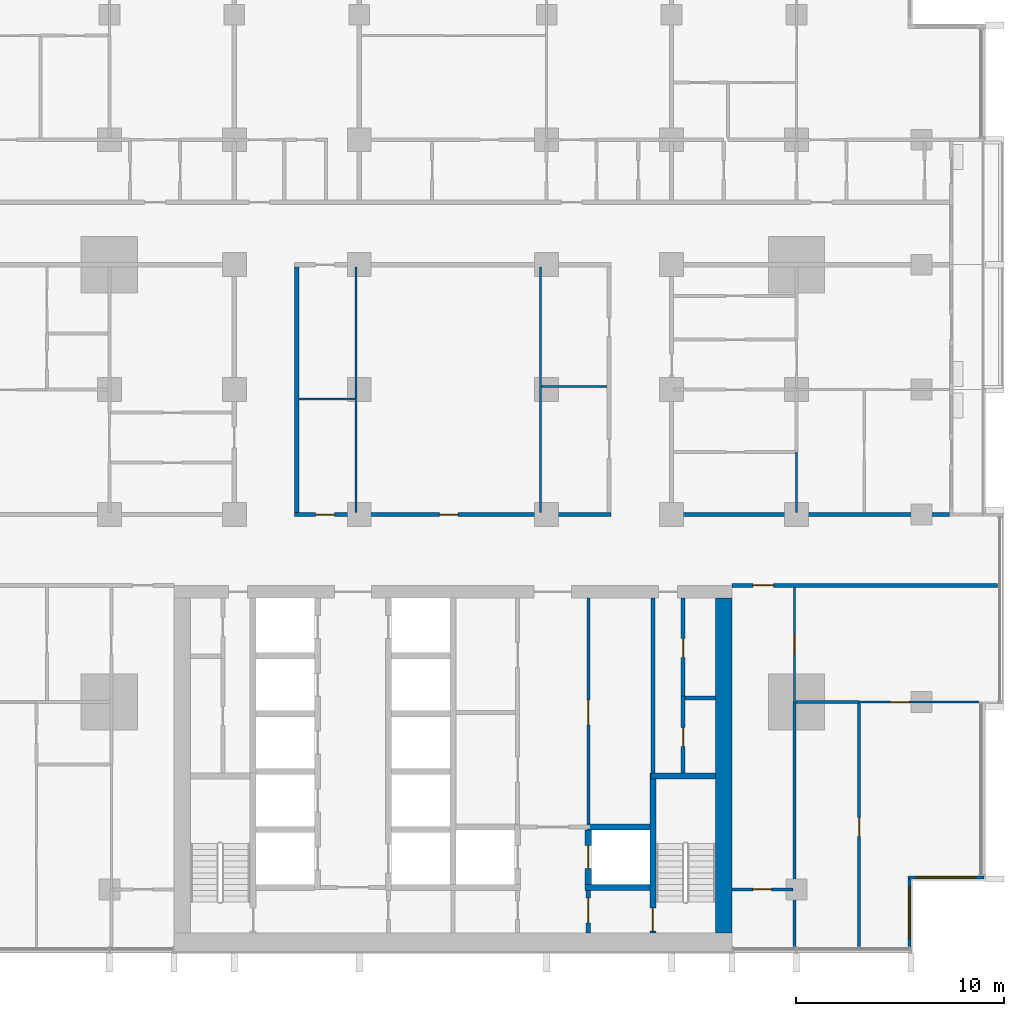
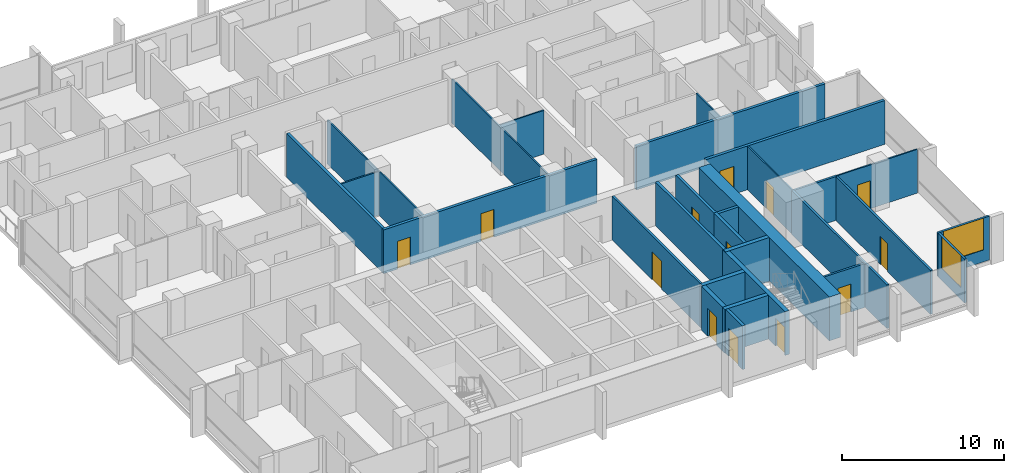
# One storey, part 9 of 18: 29 walls, 13 doors, 2 windows, 15 openings.
"""IFC4 building model written with IfcOpenShell, lengths in metres."""

from ifc_helpers import new_model, si_unit, direction, frame, frame_2d, origin, place, context, subcontext, project, spatial, rectangle, extrude, material, layer, layer_set, type_object, element, fill, save


model = new_model("IFC4")

# Units and contexts
model_context = context("Model", 3, precision=1e-05, world=origin(), true_north=direction((0.0, 1.0)))
body_context = subcontext(model_context, "Body", "Model", "MODEL_VIEW")
ifc_project = project(units=[si_unit("LENGTHUNIT", "METRE"), si_unit("AREAUNIT", "SQUARE_METRE"), si_unit("VOLUMEUNIT", "CUBIC_METRE"), si_unit("PLANEANGLEUNIT", "RADIAN"), si_unit("MASSUNIT", "GRAM", prefix="KILO")], contexts=[model_context])

# Site, building, storey
site_placement = place(None, origin())
site = spatial("IfcSite", under=ifc_project, at=site_placement, CompositionType="ELEMENT")
building_placement = place(site_placement, origin())
building = spatial("IfcBuilding", under=site, at=building_placement, Name="Finial Court Residences", CompositionType="ELEMENT")
storey_placement = place(building_placement, frame((0.0, 0.0, 109.89990234375)))
storey = spatial("IfcBuildingStorey", under=building, at=storey_placement, Name="L27", CompositionType="ELEMENT", Elevation=109.89990234375)

# Wall
ifc_material_1 = material(Name="Concrete C70/85", Category="concrete")
ifc_layer_1 = layer(ifc_material_1, 0.800048828125)
ifc_layer_set_1 = layer_set([ifc_layer_1], Name="Core outer wall 800 Concrete C70/85")
wall_type_1 = type_object("IfcWallType", Name="Core outer wall 800 Concrete C70/85", PredefinedType="SHEAR", material=ifc_layer_set_1)
wall_1_placement = place(storey_placement, frame((13.0, -24.60009765625, 0.0), z_axis=(0.0, 0.0, 1.0), x_axis=(0.0, 1.0, 0.0)))
element("IfcWall", 1, at=wall_1_placement, inside=storey, type_object=wall_type_1, Name="Core outer wall L27-04", PredefinedType="SHEAR", context=body_context, shape_type="SweptSolid", body=[
    extrude(rectangle(XDim=16.10009765625, YDim=0.800048828125, at=frame_2d((8.050048828125, 0.0))), origin(), (0.0, 0.0, 1.0), 3.300048828125),
])

# Wall, opening, door
ifc_material_2 = material(Name="Fire-rated gypsum board partition")
ifc_layer_2 = layer(ifc_material_2, 0.14990234375)
ifc_layer_set_2 = layer_set([ifc_layer_2], Name="Core room partition 150 EI 60")
wall_type_2 = type_object("IfcWallType", Name="Core room partition 150 EI 60", PredefinedType="PARTITIONING", material=ifc_layer_set_2)
wall_2_placement = place(storey_placement, frame((6.5, -8.5, 0.0), z_axis=(0.0, 0.0, 1.0), x_axis=(0.0, -1.0, 0.0)))
wall_2 = element("IfcWall", 2, at=wall_2_placement, inside=storey, type_object=wall_type_2, Name="Core partition L27-35", PredefinedType="PARTITIONING", context=body_context, shape_type="SweptSolid", body=[
    extrude(rectangle(XDim=10.85009765625, YDim=0.14990234375, at=frame_2d((5.425048828125, 0.0))), origin(), (0.0, 0.0, 1.0), 3.300048828125),
])
opening_1_placement = place(wall_2_placement, frame((4.89990234375, 0.0, 0.0)))
opening_1 = element("IfcOpeningElement", 3, at=opening_1_placement, cuts=wall_2, Name="Opening L27-C16", PredefinedType="OPENING", context=body_context, shape_type="SweptSolid", body=[
    extrude(rectangle(XDim=1.199951171875, YDim=2.10009765625, at=frame_2d((0.60009765625, 1.050048828125))), frame((0.0, 0.0849609375, 0.0), z_axis=(0.0, -1.0, 0.0), x_axis=(1.0, 0.0, 0.0)), (0.0, 0.0, 1.0), 0.169921875),
])
ifc_material_3 = material(Name="Steel fire door", Category="steel")
door_type_1 = type_object("IfcDoorType", Name="Core room door 1200 x 2100 EI 60", OperationType="NOTDEFINED", PredefinedType="DOOR", material=ifc_material_3)
door_1_placement = place(opening_1_placement, origin())
door_1 = element("IfcDoor", 4, at=door_1_placement, inside=storey, type_object=door_type_1, Name="Core room door L27-C16", OperationType="SINGLE_SWING_RIGHT", OverallHeight=2.10009765625, OverallWidth=1.199951171875, PredefinedType="DOOR", context=body_context, shape_type="SweptSolid", body=[
    extrude(rectangle(XDim=1.199951171875, YDim=2.10009765625, at=frame_2d((0.60009765625, 1.050048828125))), frame((0.0, 0.02490234375, 0.0), z_axis=(0.0, -1.0, 0.0), x_axis=(1.0, 0.0, 0.0)), (0.0, 0.0, 1.0), 0.050048828125),
])
fill(opening_1, door_1)

ifc_material_4 = material(Name="Gypsum board")
ifc_layer_3 = layer(ifc_material_4, 0.02490234375)
ifc_material_5 = material(Name="Acoustic mineral wool in double frame")
ifc_layer_4 = layer(ifc_material_5, 0.14990234375)
ifc_layer_5 = layer(ifc_material_4, 0.02490234375)
ifc_layer_set_3 = layer_set([ifc_layer_3, ifc_layer_4, ifc_layer_5], Name="Corridor wall 200, 1 hour")
wall_type_3 = type_object("IfcWallType", Name="Corridor wall 200, 1 hour", PredefinedType="PARTITIONING", material=ifc_layer_set_3)
wall_3_placement = place(storey_placement, frame((13.39990234375, -7.89990234375, 0.0), z_axis=(0.0, 0.0, 1.0), x_axis=(1.0, 0.0, 0.0)))
wall_3 = element("IfcWall", 5, at=wall_3_placement, inside=storey, type_object=wall_type_3, Name="Partition L27-008", PredefinedType="PARTITIONING", context=body_context, shape_type="SweptSolid", body=[
    extrude(rectangle(XDim=12.75, YDim=0.199951171875, at=frame_2d((6.375, 0.0))), origin(), (0.0, 0.0, 1.0), 3.300048828125),
])
opening_2_placement = place(wall_3_placement, frame((1.0, 0.0, 0.0)))
opening_2 = element("IfcOpeningElement", 6, at=opening_2_placement, cuts=wall_3, Name="Opening L27-D006", PredefinedType="OPENING", context=body_context, shape_type="SweptSolid", body=[
    extrude(rectangle(XDim=1.0, YDim=2.10009765625, at=frame_2d((0.5, 1.050048828125))), frame((0.0, 0.10986328125, 0.0), z_axis=(0.0, -1.0, 0.0), x_axis=(1.0, 0.0, 0.0)), (0.0, 0.0, 1.0), 0.219970703125),
])
ifc_material_6 = material(Name="Timber door leaf in hollow metal frame", Category="wood")
door_type_2 = type_object("IfcDoorType", Name="Fire door set 1000 x 2100, 30 minutes", OperationType="SINGLE_SWING_LEFT", PredefinedType="DOOR", material=ifc_material_6)
door_2_placement = place(opening_2_placement, origin())
door_2 = element("IfcDoor", 7, at=door_2_placement, inside=storey, type_object=door_type_2, Name="Door L27-D006", OperationType="SINGLE_SWING_LEFT", OverallHeight=2.10009765625, OverallWidth=1.0, PredefinedType="DOOR", context=body_context, shape_type="SweptSolid", body=[
    extrude(rectangle(XDim=1.0, YDim=2.10009765625, at=frame_2d((0.5, 1.050048828125))), frame((0.0, 0.02490234375, 0.0), z_axis=(0.0, -1.0, 0.0), x_axis=(1.0, 0.0, 0.0)), (0.0, 0.0, 1.0), 0.050048828125),
])
fill(opening_2, door_2)

# Wall, openings, doors
wall_4_placement = place(storey_placement, frame((-7.60009765625, -4.5, 0.0), z_axis=(0.0, 0.0, 1.0), x_axis=(1.0, 0.0, 0.0)))
wall_4 = element("IfcWall", 8, at=wall_4_placement, inside=storey, type_object=wall_type_3, Name="Partition L27-010", PredefinedType="PARTITIONING", context=body_context, shape_type="SweptSolid", body=[
    extrude(rectangle(XDim=15.2001953125, YDim=0.199951171875, at=frame_2d((7.60009765625, 0.0))), origin(), (0.0, 0.0, 1.0), 3.300048828125),
])
opening_3_placement = place(wall_4_placement, frame((1.0, 0.0, 0.0)))
opening_3 = element("IfcOpeningElement", 9, at=opening_3_placement, cuts=wall_4, Name="Opening L27-D007", PredefinedType="OPENING", context=body_context, shape_type="SweptSolid", body=[
    extrude(rectangle(XDim=0.89990234375, YDim=2.10009765625, at=frame_2d((0.449951171875, 1.050048828125))), frame((0.0, 0.10986328125, 0.0), z_axis=(0.0, -1.0, 0.0), x_axis=(1.0, 0.0, 0.0)), (0.0, 0.0, 1.0), 0.219970703125),
])
opening_4_placement = place(wall_4_placement, frame((6.949951171875, 0.0, 0.0)))
opening_4 = element("IfcOpeningElement", 10, at=opening_4_placement, cuts=wall_4, Name="Opening L27-D008", PredefinedType="OPENING", context=body_context, shape_type="SweptSolid", body=[
    extrude(rectangle(XDim=0.89990234375, YDim=2.10009765625, at=frame_2d((0.449951171875, 1.050048828125))), frame((0.0, 0.10986328125, 0.0), z_axis=(0.0, -1.0, 0.0), x_axis=(1.0, 0.0, 0.0)), (0.0, 0.0, 1.0), 0.219970703125),
])
door_type_3 = type_object("IfcDoorType", Name="Fire door set 900 x 2100, 30 minutes", OperationType="SINGLE_SWING_LEFT", PredefinedType="DOOR", material=ifc_material_6)
door_3_placement = place(opening_3_placement, origin())
door_3 = element("IfcDoor", 11, at=door_3_placement, inside=storey, type_object=door_type_3, Name="Door L27-D007", OperationType="SINGLE_SWING_RIGHT", OverallHeight=2.10009765625, OverallWidth=0.89990234375, PredefinedType="DOOR", context=body_context, shape_type="SweptSolid", body=[
    extrude(rectangle(XDim=0.89990234375, YDim=2.10009765625, at=frame_2d((0.449951171875, 1.050048828125))), frame((0.0, 0.02490234375, 0.0), z_axis=(0.0, -1.0, 0.0), x_axis=(1.0, 0.0, 0.0)), (0.0, 0.0, 1.0), 0.050048828125),
])
fill(opening_3, door_3)
door_4_placement = place(opening_4_placement, origin())
door_4 = element("IfcDoor", 12, at=door_4_placement, inside=storey, type_object=door_type_3, Name="Door L27-D008", OperationType="SINGLE_SWING_RIGHT", OverallHeight=2.10009765625, OverallWidth=0.89990234375, PredefinedType="DOOR", context=body_context, shape_type="SweptSolid", body=[
    extrude(rectangle(XDim=0.89990234375, YDim=2.10009765625, at=frame_2d((0.449951171875, 1.050048828125))), frame((0.0, 0.02490234375, 0.0), z_axis=(0.0, -1.0, 0.0), x_axis=(1.0, 0.0, 0.0)), (0.0, 0.0, 1.0), 0.050048828125),
])
fill(opening_4, door_4)

# Walls
wall_5_placement = place(storey_placement, frame((10.39990234375, -4.5, 0.0), z_axis=(0.0, 0.0, 1.0), x_axis=(1.0, 0.0, 0.0)))
element("IfcWall", 13, at=wall_5_placement, inside=storey, type_object=wall_type_3, Name="Partition L27-011", PredefinedType="PARTITIONING", context=body_context, shape_type="SweptSolid", body=[
    extrude(rectangle(XDim=13.4501953125, YDim=0.199951171875, at=frame_2d((6.72509765625, 0.0))), origin(), (0.0, 0.0, 1.0), 3.300048828125),
])
wall_6_placement = place(storey_placement, frame((-7.5, -4.39990234375, 0.0), z_axis=(0.0, 0.0, 1.0), x_axis=(0.0, 1.0, 0.0)))
element("IfcWall", 14, at=wall_6_placement, inside=storey, type_object=wall_type_3, Name="Partition L27-064", PredefinedType="PARTITIONING", context=body_context, shape_type="SweptSolid", body=[
    extrude(rectangle(XDim=11.7998046875, YDim=0.199951171875, at=frame_2d((5.89990234375, 0.0))), origin(), (0.0, 0.0, 1.0), 3.300048828125),
])

# Wall, opening, door
ifc_layer_6 = layer(ifc_material_2, 0.199951171875)
ifc_layer_set_4 = layer_set([ifc_layer_6], Name="Firefighting lobby wall 200 EI 120")
wall_type_4 = type_object("IfcWallType", Name="Firefighting lobby wall 200 EI 120", PredefinedType="PARTITIONING", material=ifc_layer_set_4)
wall_7_placement = place(storey_placement, frame((6.5, -22.550048828125, 0.0), z_axis=(0.0, 0.0, 1.0), x_axis=(0.0, -1.0, 0.0)))
wall_7 = element("IfcWall", 15, at=wall_7_placement, inside=storey, type_object=wall_type_4, Name="Core partition L27-33", PredefinedType="PARTITIONING", context=body_context, shape_type="SweptSolid", body=[
    extrude(rectangle(XDim=2.050048828125, YDim=0.199951171875, at=frame_2d((1.02490234375, 0.0))), origin(), (0.0, 0.0, 1.0), 3.300048828125),
])
opening_5_placement = place(wall_7_placement, frame((0.35009765625, 0.0, 0.0)))
opening_5 = element("IfcOpeningElement", 16, at=opening_5_placement, cuts=wall_7, Name="Opening L27-C01", PredefinedType="OPENING", context=body_context, shape_type="SweptSolid", body=[
    extrude(rectangle(XDim=1.199951171875, YDim=2.10009765625, at=frame_2d((0.60009765625, 1.050048828125))), frame((0.0, 0.10986328125, 0.0), z_axis=(0.0, -1.0, 0.0), x_axis=(1.0, 0.0, 0.0)), (0.0, 0.0, 1.0), 0.219970703125),
])
door_type_4 = type_object("IfcDoorType", Name="Firefighting lobby door 1200 x 2100 EI 90", OperationType="NOTDEFINED", PredefinedType="DOOR", material=ifc_material_3)
door_5_placement = place(opening_5_placement, origin())
door_5 = element("IfcDoor", 17, at=door_5_placement, inside=storey, type_object=door_type_4, Name="Firefighting lobby door L27-C01", OperationType="SINGLE_SWING_RIGHT", OverallHeight=2.10009765625, OverallWidth=1.199951171875, PredefinedType="DOOR", context=body_context, shape_type="SweptSolid", body=[
    extrude(rectangle(XDim=1.199951171875, YDim=2.10009765625, at=frame_2d((0.60009765625, 1.050048828125))), frame((0.0, 0.02490234375, 0.0), z_axis=(0.0, -1.0, 0.0), x_axis=(1.0, 0.0, 0.0)), (0.0, 0.0, 1.0), 0.050048828125),
])
fill(opening_5, door_5)

ifc_layer_7 = layer(ifc_material_4, 0.012451171875)
ifc_material_7 = material(Name="Mineral wool in light-gauge frame")
ifc_layer_8 = layer(ifc_material_7, 0.074951171875)
ifc_layer_9 = layer(ifc_material_4, 0.012451171875)
ifc_layer_set_5 = layer_set([ifc_layer_7, ifc_layer_8, ifc_layer_9], Name="Gypsum board partition 100")
wall_type_5 = type_object("IfcWallType", Name="Gypsum board partition 100", PredefinedType="PARTITIONING", material=ifc_layer_set_5)
wall_8_placement = place(storey_placement, frame((19.5, -13.5, 0.0), z_axis=(0.0, 0.0, 1.0), x_axis=(1.0, 0.0, 0.0)))
wall_8 = element("IfcWall", 18, at=wall_8_placement, inside=storey, type_object=wall_type_5, Name="Partition L27-004", PredefinedType="PARTITIONING", context=body_context, shape_type="SweptSolid", body=[
    extrude(rectangle(XDim=5.75, YDim=0.10009765625, at=frame_2d((2.875, 0.0))), origin(), (0.0, 0.0, 1.0), 3.300048828125),
])
opening_6_placement = place(wall_8_placement, frame((1.5, 0.0, 0.0)))
opening_6 = element("IfcOpeningElement", 19, at=opening_6_placement, cuts=wall_8, Name="Opening L27-D004", PredefinedType="OPENING", context=body_context, shape_type="SweptSolid", body=[
    extrude(rectangle(XDim=0.89990234375, YDim=2.10009765625, at=frame_2d((0.449951171875, 1.050048828125))), frame((0.0, 0.06005859375, 0.0), z_axis=(0.0, -1.0, 0.0), x_axis=(1.0, 0.0, 0.0)), (0.0, 0.0, 1.0), 0.1201171875),
])
ifc_material_8 = material(Name="Timber door leaf in timber frame", Category="wood")
door_type_5 = type_object("IfcDoorType", Name="Door set 900 x 2100", OperationType="SINGLE_SWING_LEFT", PredefinedType="DOOR", material=ifc_material_8)
door_6_placement = place(opening_6_placement, origin())
door_6 = element("IfcDoor", 20, at=door_6_placement, inside=storey, type_object=door_type_5, Name="Door L27-D004", OperationType="SINGLE_SWING_LEFT", OverallHeight=2.10009765625, OverallWidth=0.89990234375, PredefinedType="DOOR", context=body_context, shape_type="SweptSolid", body=[
    extrude(rectangle(XDim=0.89990234375, YDim=2.10009765625, at=frame_2d((0.449951171875, 1.050048828125))), frame((0.0, 0.02490234375, 0.0), z_axis=(0.0, -1.0, 0.0), x_axis=(1.0, 0.0, 0.0)), (0.0, 0.0, 1.0), 0.050048828125),
])
fill(opening_6, door_6)

# Walls
wall_9_placement = place(storey_placement, frame((-7.39990234375, 1.050048828125, 0.0), z_axis=(0.0, 0.0, 1.0), x_axis=(1.0, 0.0, 0.0)))
element("IfcWall", 21, at=wall_9_placement, inside=storey, type_object=wall_type_5, Name="Partition L27-015", PredefinedType="PARTITIONING", context=body_context, shape_type="SweptSolid", body=[
    extrude(rectangle(XDim=2.699951171875, YDim=0.10009765625, at=frame_2d((1.35009765625, 0.0))), origin(), (0.0, 0.0, 1.0), 3.300048828125),
])
wall_10_placement = place(storey_placement, frame((4.25, 1.64990234375, 0.0), z_axis=(0.0, 0.0, 1.0), x_axis=(1.0, 0.0, 0.0)))
element("IfcWall", 22, at=wall_10_placement, inside=storey, type_object=wall_type_5, Name="Partition L27-020", PredefinedType="PARTITIONING", context=body_context, shape_type="SweptSolid", body=[
    extrude(rectangle(XDim=3.14990234375, YDim=0.10009765625, at=frame_2d((1.574951171875, 0.0))), origin(), (0.0, 0.0, 1.0), 3.300048828125),
])
for number, where, z_axis, x_axis, name in (
    (23, (-4.64990234375, -4.39990234375, 0.0), (0.0, 0.0, 1.0), (0.0, 1.0, 0.0), "Partition L27-066"),
    (24, (4.199951171875, -4.39990234375, 0.0), (0.0, 0.0, 1.0), (0.0, 1.0, 0.0), "Partition L27-069"),
):
    element("IfcWall", number, at=place(storey_placement, frame(where, z_axis=z_axis, x_axis=x_axis)), inside=storey, type_object=wall_type_5, Name=name, PredefinedType="PARTITIONING", context=body_context, shape_type="SweptSolid", body=[
        extrude(rectangle(XDim=11.7998046875, YDim=0.10009765625, at=frame_2d((5.89990234375, 0.0))), origin(), (0.0, 0.0, 1.0), 3.300048828125),
    ])

# Wall, opening, door
wall_11_placement = place(storey_placement, frame((16.39990234375, -13.5, 0.0), z_axis=(0.0, 0.0, 1.0), x_axis=(0.0, 1.0, 0.0)))
wall_11 = element("IfcWall", 25, at=wall_11_placement, inside=storey, type_object=wall_type_5, Name="Partition L27-080", PredefinedType="PARTITIONING", context=body_context, shape_type="SweptSolid", body=[
    extrude(rectangle(XDim=5.5, YDim=0.10009765625, at=frame_2d((2.75, 0.0))), origin(), (0.0, 0.0, 1.0), 3.300048828125),
])
opening_7_placement = place(wall_11_placement, frame((2.300048828125, 0.0, 0.0)))
opening_7 = element("IfcOpeningElement", 26, at=opening_7_placement, cuts=wall_11, Name="Opening L27-D052", PredefinedType="OPENING", context=body_context, shape_type="SweptSolid", body=[
    extrude(rectangle(XDim=0.89990234375, YDim=2.10009765625, at=frame_2d((0.449951171875, 1.050048828125))), frame((0.0, 0.06005859375, 0.0), z_axis=(0.0, -1.0, 0.0), x_axis=(1.0, 0.0, 0.0)), (0.0, 0.0, 1.0), 0.1201171875),
])
door_7_placement = place(opening_7_placement, origin())
door_7 = element("IfcDoor", 27, at=door_7_placement, inside=storey, type_object=door_type_5, Name="Door L27-D052", OperationType="SINGLE_SWING_RIGHT", OverallHeight=2.10009765625, OverallWidth=0.89990234375, PredefinedType="DOOR", context=body_context, shape_type="SweptSolid", body=[
    extrude(rectangle(XDim=0.89990234375, YDim=2.10009765625, at=frame_2d((0.449951171875, 1.050048828125))), frame((0.0, 0.02490234375, 0.0), z_axis=(0.0, -1.0, 0.0), x_axis=(1.0, 0.0, 0.0)), (0.0, 0.0, 1.0), 0.050048828125),
])
fill(opening_7, door_7)

# Wall
wall_12_placement = place(storey_placement, frame((16.5, -4.39990234375, 0.0), z_axis=(0.0, 0.0, 1.0), x_axis=(0.0, 1.0, 0.0)))
element("IfcWall", 28, at=wall_12_placement, inside=storey, type_object=wall_type_5, Name="Partition L27-082", PredefinedType="PARTITIONING", context=body_context, shape_type="SweptSolid", body=[
    extrude(rectangle(XDim=2.89990234375, YDim=0.10009765625, at=frame_2d((1.449951171875, 0.0))), origin(), (0.0, 0.0, 1.0), 3.300048828125),
])

# Wall, opening, door
ifc_material_9 = material(Name="Moisture-resistant gypsum board")
ifc_layer_10 = layer(ifc_material_9, 0.012451171875)
ifc_layer_11 = layer(ifc_material_7, 0.125)
ifc_layer_12 = layer(ifc_material_9, 0.012451171875)
ifc_layer_set_6 = layer_set([ifc_layer_10, ifc_layer_11, ifc_layer_12], Name="Gypsum board wet-area partition 150")
wall_type_6 = type_object("IfcWallType", Name="Gypsum board wet-area partition 150", PredefinedType="PARTITIONING", material=ifc_layer_set_6)
wall_13_placement = place(storey_placement, frame((13.39990234375, -22.5, 0.0), z_axis=(0.0, 0.0, 1.0), x_axis=(1.0, 0.0, 0.0)))
wall_13 = element("IfcWall", 29, at=wall_13_placement, inside=storey, type_object=wall_type_6, Name="Partition L27-001", PredefinedType="PARTITIONING", context=body_context, shape_type="SweptSolid", body=[
    extrude(rectangle(XDim=2.925048828125, YDim=0.14990234375, at=frame_2d((1.46240234375, 0.0))), origin(), (0.0, 0.0, 1.0), 3.300048828125),
])
opening_8_placement = place(wall_13_placement, frame((1.0, 0.0, 0.0)))
opening_8 = element("IfcOpeningElement", 30, at=opening_8_placement, cuts=wall_13, Name="Opening L27-D002", PredefinedType="OPENING", context=body_context, shape_type="SweptSolid", body=[
    extrude(rectangle(XDim=0.89990234375, YDim=2.10009765625, at=frame_2d((0.449951171875, 1.050048828125))), frame((0.0, 0.0849609375, 0.0), z_axis=(0.0, -1.0, 0.0), x_axis=(1.0, 0.0, 0.0)), (0.0, 0.0, 1.0), 0.169921875),
])
door_8_placement = place(opening_8_placement, origin())
door_8 = element("IfcDoor", 31, at=door_8_placement, inside=storey, type_object=door_type_5, Name="Door L27-D002", OperationType="SINGLE_SWING_LEFT", OverallHeight=2.10009765625, OverallWidth=0.89990234375, PredefinedType="DOOR", context=body_context, shape_type="SweptSolid", body=[
    extrude(rectangle(XDim=0.89990234375, YDim=2.10009765625, at=frame_2d((0.449951171875, 1.050048828125))), frame((0.0, 0.02490234375, 0.0), z_axis=(0.0, -1.0, 0.0), x_axis=(1.0, 0.0, 0.0)), (0.0, 0.0, 1.0), 0.050048828125),
])
fill(opening_8, door_8)

# Walls
wall_14_placement = place(storey_placement, frame((16.47509765625, -13.5, 0.0), z_axis=(0.0, 0.0, 1.0), x_axis=(1.0, 0.0, 0.0)))
element("IfcWall", 32, at=wall_14_placement, inside=storey, type_object=wall_type_6, Name="Partition L27-006", PredefinedType="PARTITIONING", context=body_context, shape_type="SweptSolid", body=[
    extrude(rectangle(XDim=3.02490234375, YDim=0.14990234375, at=frame_2d((1.512451171875, 0.0))), origin(), (0.0, 0.0, 1.0), 3.300048828125),
])
wall_15_placement = place(storey_placement, frame((16.39990234375, -25.25, 0.0), z_axis=(0.0, 0.0, 1.0), x_axis=(0.0, 1.0, 0.0)))
element("IfcWall", 33, at=wall_15_placement, inside=storey, type_object=wall_type_6, Name="Partition L27-081", PredefinedType="PARTITIONING", context=body_context, shape_type="SweptSolid", body=[
    extrude(rectangle(XDim=11.75, YDim=0.14990234375, at=frame_2d((5.875, 0.0))), origin(), (0.0, 0.0, 1.0), 3.300048828125),
])

# Wall, opening, door
wall_16_placement = place(storey_placement, frame((19.5, -25.25, 0.0), z_axis=(0.0, 0.0, 1.0), x_axis=(0.0, 1.0, 0.0)))
wall_16 = element("IfcWall", 34, at=wall_16_placement, inside=storey, type_object=wall_type_6, Name="Partition L27-089", PredefinedType="PARTITIONING", context=body_context, shape_type="SweptSolid", body=[
    extrude(rectangle(XDim=11.675048828125, YDim=0.14990234375, at=frame_2d((5.83740234375, 0.0))), origin(), (0.0, 0.0, 1.0), 3.300048828125),
])
opening_9_placement = place(wall_16_placement, frame((5.300048828125, 0.0, 0.0)))
opening_9 = element("IfcOpeningElement", 35, at=opening_9_placement, cuts=wall_16, Name="Opening L27-D057", PredefinedType="OPENING", context=body_context, shape_type="SweptSolid", body=[
    extrude(rectangle(XDim=0.89990234375, YDim=2.10009765625, at=frame_2d((0.449951171875, 1.050048828125))), frame((0.0, 0.0849609375, 0.0), z_axis=(0.0, -1.0, 0.0), x_axis=(1.0, 0.0, 0.0)), (0.0, 0.0, 1.0), 0.169921875),
])
door_9_placement = place(opening_9_placement, origin())
door_9 = element("IfcDoor", 36, at=door_9_placement, inside=storey, type_object=door_type_5, Name="Door L27-D057", OperationType="SINGLE_SWING_RIGHT", OverallHeight=2.10009765625, OverallWidth=0.89990234375, PredefinedType="DOOR", context=body_context, shape_type="SweptSolid", body=[
    extrude(rectangle(XDim=0.89990234375, YDim=2.10009765625, at=frame_2d((0.449951171875, 1.050048828125))), frame((0.0, 0.02490234375, 0.0), z_axis=(0.0, -1.0, 0.0), x_axis=(1.0, 0.0, 0.0)), (0.0, 0.0, 1.0), 0.050048828125),
])
fill(opening_9, door_9)

# Walls
ifc_layer_13 = layer(ifc_material_1, 0.300048828125)
ifc_layer_set_7 = layer_set([ifc_layer_13], Name="Lift shaft and stair wall 300 Concrete C70/85")
wall_type_7 = type_object("IfcWallType", Name="Lift shaft and stair wall 300 Concrete C70/85", PredefinedType="SHEAR", material=ifc_layer_set_7)
wall_17_placement = place(storey_placement, frame((6.35009765625, -22.39990234375, 0.0), z_axis=(0.0, 0.0, 1.0), x_axis=(1.0, 0.0, 0.0)))
element("IfcWall", 37, at=wall_17_placement, inside=storey, type_object=wall_type_7, Name="Core wall L27-04", PredefinedType="SHEAR", context=body_context, shape_type="SweptSolid", body=[
    extrude(rectangle(XDim=3.099853515625, YDim=0.300048828125, at=frame_2d((1.5498046875, 0.0))), origin(), (0.0, 0.0, 1.0), 3.300048828125),
])
wall_18_placement = place(storey_placement, frame((6.425048828125, -19.5, 0.0), z_axis=(0.0, 0.0, 1.0), x_axis=(1.0, 0.0, 0.0)))
element("IfcWall", 38, at=wall_18_placement, inside=storey, type_object=wall_type_7, Name="Core wall L27-09", PredefinedType="SHEAR", context=body_context, shape_type="SweptSolid", body=[
    extrude(rectangle(XDim=3.02490234375, YDim=0.300048828125, at=frame_2d((1.512451171875, 0.0))), origin(), (0.0, 0.0, 1.0), 3.300048828125),
])
wall_19_placement = place(storey_placement, frame((9.5, -17.050048828125, 0.0), z_axis=(0.0, 0.0, 1.0), x_axis=(1.0, 0.0, 0.0)))
element("IfcWall", 39, at=wall_19_placement, inside=storey, type_object=wall_type_7, Name="Core wall L27-11", PredefinedType="SHEAR", context=body_context, shape_type="SweptSolid", body=[
    extrude(rectangle(XDim=3.10009765625, YDim=0.300048828125, at=frame_2d((1.550048828125, 0.0))), origin(), (0.0, 0.0, 1.0), 3.300048828125),
])

# Wall, opening, door
wall_20_placement = place(storey_placement, frame((6.5, -22.25, 0.0), z_axis=(0.0, 0.0, 1.0), x_axis=(0.0, 1.0, 0.0)))
wall_20 = element("IfcWall", 40, at=wall_20_placement, inside=storey, type_object=wall_type_7, Name="Core wall L27-34", PredefinedType="SHEAR", context=body_context, shape_type="SweptSolid", body=[
    extrude(rectangle(XDim=2.60009765625, YDim=0.300048828125, at=frame_2d((1.300048828125, 0.0))), origin(), (0.0, 0.0, 1.0), 3.300048828125),
])
opening_10_placement = place(wall_20_placement, frame((0.75, 0.0, 0.0)))
opening_10 = element("IfcOpeningElement", 41, at=opening_10_placement, cuts=wall_20, Name="Opening L27-LD02", PredefinedType="OPENING", context=body_context, shape_type="SweptSolid", body=[
    extrude(rectangle(XDim=1.10009765625, YDim=2.10009765625, at=frame_2d((0.550048828125, 1.050048828125))), frame((0.0, 0.159912109375, 0.0), z_axis=(0.0, -1.0, 0.0), x_axis=(1.0, 0.0, 0.0)), (0.0, 0.0, 1.0), 0.320068359375),
])
ifc_material_10 = material(Name="Stainless steel lift door", Category="steel")
door_type_6 = type_object("IfcDoorType", Name="Lift landing door 1100 x 2100 EI 90", OperationType="DOUBLE_DOOR_SLIDING", PredefinedType="DOOR", material=ifc_material_10)
door_10_placement = place(opening_10_placement, origin())
door_10 = element("IfcDoor", 42, at=door_10_placement, inside=storey, type_object=door_type_6, Name="Lift landing door FF2 L27", OperationType="DOUBLE_DOOR_SLIDING", OverallHeight=2.10009765625, OverallWidth=1.10009765625, PredefinedType="DOOR", context=body_context, shape_type="SweptSolid", body=[
    extrude(rectangle(XDim=1.10009765625, YDim=2.10009765625, at=frame_2d((0.550048828125, 1.050048828125))), frame((0.0, 0.02490234375, 0.0), z_axis=(0.0, -1.0, 0.0), x_axis=(1.0, 0.0, 0.0)), (0.0, 0.0, 1.0), 0.050048828125),
])
fill(opening_10, door_10)

wall_21_placement = place(storey_placement, frame((9.60009765625, -16.89990234375, 0.0), z_axis=(0.0, 0.0, 1.0), x_axis=(0.0, -1.0, 0.0)))
wall_21 = element("IfcWall", 43, at=wall_21_placement, inside=storey, type_object=wall_type_7, Name="Core wall L27-36", PredefinedType="SHEAR", context=body_context, shape_type="SweptSolid", body=[
    extrude(rectangle(XDim=7.7001953125, YDim=0.300048828125, at=frame_2d((3.85009765625, 0.0))), origin(), (0.0, 0.0, 1.0), 3.300048828125),
])
opening_11_placement = place(wall_21_placement, frame((6.5, 0.0, 0.0)))
opening_11 = element("IfcOpeningElement", 44, at=opening_11_placement, cuts=wall_21, Name="Opening L27-C18", PredefinedType="OPENING", context=body_context, shape_type="SweptSolid", body=[
    extrude(rectangle(XDim=1.10009765625, YDim=2.10009765625, at=frame_2d((0.550048828125, 1.050048828125))), frame((0.0, 0.159912109375, 0.0), z_axis=(0.0, -1.0, 0.0), x_axis=(1.0, 0.0, 0.0)), (0.0, 0.0, 1.0), 0.320068359375),
])
door_type_7 = type_object("IfcDoorType", Name="Stair door 1100 x 2100 EI 90", OperationType="NOTDEFINED", PredefinedType="DOOR", material=ifc_material_3)
door_11_placement = place(opening_11_placement, origin())
door_11 = element("IfcDoor", 45, at=door_11_placement, inside=storey, type_object=door_type_7, Name="Stair door L27-C18", OperationType="SINGLE_SWING_RIGHT", OverallHeight=2.10009765625, OverallWidth=1.10009765625, PredefinedType="DOOR", context=body_context, shape_type="SweptSolid", body=[
    extrude(rectangle(XDim=1.10009765625, YDim=2.10009765625, at=frame_2d((0.550048828125, 1.050048828125))), frame((0.0, 0.02490234375, 0.0), z_axis=(0.0, -1.0, 0.0), x_axis=(1.0, 0.0, 0.0)), (0.0, 0.0, 1.0), 0.050048828125),
])
fill(opening_11, door_11)

# Wall, opening, window
ifc_material_11 = material(Name="Natural limestone", Category="masonry")
ifc_layer_14 = layer(ifc_material_11, 0.14990234375)
ifc_layer_set_8 = layer_set([ifc_layer_14], Name="Limestone clad wall 150")
wall_type_8 = type_object("IfcWallType", Name="Limestone clad wall 150", PredefinedType="SOLIDWALL", material=ifc_layer_set_8)
wall_22_placement = place(storey_placement, frame((21.925048828125, -22.0, 0.0), z_axis=(0.0, 0.0, 1.0), x_axis=(0.0, -1.0, 0.0)))
wall_22 = element("IfcWall", 46, at=wall_22_placement, inside=storey, type_object=wall_type_8, Name="E-L27-NWE14", PredefinedType="SOLIDWALL", context=body_context, shape_type="SweptSolid", body=[
    extrude(rectangle(XDim=3.25, YDim=0.14990234375, at=frame_2d((1.625, 0.0))), origin(), (0.0, 0.0, 1.0), 3.300048828125),
])
opening_12_placement = place(wall_22_placement, frame((0.39990234375, 0.0, 0.89990234375)))
opening_12 = element("IfcOpeningElement", 47, at=opening_12_placement, cuts=wall_22, Name="Opening WE27-03", PredefinedType="OPENING", context=body_context, shape_type="SweptSolid", body=[
    extrude(rectangle(XDim=2.449951171875, YDim=2.39990234375, at=frame_2d((1.22509765625, 1.199951171875))), frame((0.0, 0.0849609375, 0.0), z_axis=(0.0, -1.0, 0.0), x_axis=(1.0, 0.0, 0.0)), (0.0, 0.0, 1.0), 0.169921875),
])
ifc_material_12 = material(Name="Clear low-e glass", Category="glass")
window_type_1 = type_object("IfcWindowType", Name="Corner window 2450 x 2400", PartitioningType="SINGLE_PANEL", PredefinedType="WINDOW", material=ifc_material_12)
window_1_placement = place(opening_12_placement, origin())
window_1 = element("IfcWindow", 48, at=window_1_placement, inside=storey, type_object=window_type_1, Name="E-L27-NWE14-W1", OverallHeight=2.39990234375, OverallWidth=2.449951171875, PartitioningType="SINGLE_PANEL", PredefinedType="WINDOW", context=body_context, shape_type="SweptSolid", body=[
    extrude(rectangle(XDim=2.449951171875, YDim=2.39990234375, at=frame_2d((1.22509765625, 1.199951171875))), frame((0.0, 0.030029296875, 0.0), z_axis=(0.0, -1.0, 0.0), x_axis=(1.0, 0.0, 0.0)), (0.0, 0.0, 1.0), 0.06005859375),
])
fill(opening_12, window_1)

wall_23_placement = place(storey_placement, frame((25.5, -21.925048828125, 0.0), z_axis=(0.0, 0.0, 1.0), x_axis=(-1.0, 0.0, 0.0)))
wall_23 = element("IfcWall", 49, at=wall_23_placement, inside=storey, type_object=wall_type_8, Name="E-L27-NWS15", PredefinedType="SOLIDWALL", context=body_context, shape_type="SweptSolid", body=[
    extrude(rectangle(XDim=3.64990234375, YDim=0.14990234375, at=frame_2d((1.824951171875, 0.0))), origin(), (0.0, 0.0, 1.0), 3.300048828125),
])
opening_13_placement = place(wall_23_placement, frame((0.39990234375, 0.0, 0.89990234375)))
opening_13 = element("IfcOpeningElement", 50, at=opening_13_placement, cuts=wall_23, Name="Opening WE27-04", PredefinedType="OPENING", context=body_context, shape_type="SweptSolid", body=[
    extrude(rectangle(XDim=2.85009765625, YDim=2.39990234375, at=frame_2d((1.425048828125, 1.199951171875))), frame((0.0, 0.0849609375, 0.0), z_axis=(0.0, -1.0, 0.0), x_axis=(1.0, 0.0, 0.0)), (0.0, 0.0, 1.0), 0.169921875),
])
window_type_2 = type_object("IfcWindowType", Name="Corner window 2850 x 2400", PartitioningType="SINGLE_PANEL", PredefinedType="WINDOW", material=ifc_material_12)
window_2_placement = place(opening_13_placement, origin())
window_2 = element("IfcWindow", 51, at=window_2_placement, inside=storey, type_object=window_type_2, Name="E-L27-NWS15-W1", OverallHeight=2.39990234375, OverallWidth=2.85009765625, PartitioningType="SINGLE_PANEL", PredefinedType="WINDOW", context=body_context, shape_type="SweptSolid", body=[
    extrude(rectangle(XDim=2.85009765625, YDim=2.39990234375, at=frame_2d((1.425048828125, 1.199951171875))), frame((0.0, 0.030029296875, 0.0), z_axis=(0.0, -1.0, 0.0), x_axis=(1.0, 0.0, 0.0)), (0.0, 0.0, 1.0), 0.06005859375),
])
fill(opening_13, window_2)

# Wall
ifc_layer_15 = layer(ifc_material_2, 0.199951171875)
ifc_layer_set_9 = layer_set([ifc_layer_15], Name="Riser room wall 200 EI 120")
wall_type_9 = type_object("IfcWallType", Name="Riser room wall 200 EI 120", PredefinedType="PARTITIONING", material=ifc_layer_set_9)
wall_24_placement = place(storey_placement, frame((11.14990234375, -13.300048828125, 0.0), z_axis=(0.0, 0.0, 1.0), x_axis=(1.0, 0.0, 0.0)))
element("IfcWall", 52, at=wall_24_placement, inside=storey, type_object=wall_type_9, Name="Core partition L27-17", PredefinedType="PARTITIONING", context=body_context, shape_type="SweptSolid", body=[
    extrude(rectangle(XDim=1.4501953125, YDim=0.199951171875, at=frame_2d((0.72509765625, 0.0))), origin(), (0.0, 0.0, 1.0), 3.300048828125),
])

# Wall, opening, door
wall_25_placement = place(storey_placement, frame((11.050048828125, -8.5, 0.0), z_axis=(0.0, 0.0, 1.0), x_axis=(0.0, -1.0, 0.0)))
wall_25 = element("IfcWall", 53, at=wall_25_placement, inside=storey, type_object=wall_type_9, Name="Core partition L27-39", PredefinedType="PARTITIONING", context=body_context, shape_type="SweptSolid", body=[
    extrude(rectangle(XDim=4.89990234375, YDim=0.199951171875, at=frame_2d((2.449951171875, 0.0))), origin(), (0.0, 0.0, 1.0), 3.300048828125),
])
opening_14_placement = place(wall_25_placement, frame((1.949951171875, 0.0, 0.0)))
opening_14 = element("IfcOpeningElement", 54, at=opening_14_placement, cuts=wall_25, Name="Opening L27-C08", PredefinedType="OPENING", context=body_context, shape_type="SweptSolid", body=[
    extrude(rectangle(XDim=0.89990234375, YDim=2.10009765625, at=frame_2d((0.449951171875, 1.050048828125))), frame((0.0, 0.10986328125, 0.0), z_axis=(0.0, -1.0, 0.0), x_axis=(1.0, 0.0, 0.0)), (0.0, 0.0, 1.0), 0.219970703125),
])
door_type_8 = type_object("IfcDoorType", Name="Riser room door 900 x 2100 EI 90", OperationType="NOTDEFINED", PredefinedType="DOOR", material=ifc_material_3)
door_12_placement = place(opening_14_placement, origin())
door_12 = element("IfcDoor", 55, at=door_12_placement, inside=storey, type_object=door_type_8, Name="Riser room door L27-C08", OperationType="SINGLE_SWING_RIGHT", OverallHeight=2.10009765625, OverallWidth=0.89990234375, PredefinedType="DOOR", context=body_context, shape_type="SweptSolid", body=[
    extrude(rectangle(XDim=0.89990234375, YDim=2.10009765625, at=frame_2d((0.449951171875, 1.050048828125))), frame((0.0, 0.02490234375, 0.0), z_axis=(0.0, -1.0, 0.0), x_axis=(1.0, 0.0, 0.0)), (0.0, 0.0, 1.0), 0.050048828125),
])
fill(opening_14, door_12)

# Wall
ifc_layer_16 = layer(ifc_material_2, 0.199951171875)
ifc_layer_set_10 = layer_set([ifc_layer_16], Name="Stair passage wall 200 EI 180")
wall_type_10 = type_object("IfcWallType", Name="Stair passage wall 200 EI 180", PredefinedType="PARTITIONING", material=ifc_layer_set_10)
wall_26_placement = place(storey_placement, frame((9.60009765625, -16.89990234375, 0.0), z_axis=(0.0, 0.0, 1.0), x_axis=(0.0, 1.0, 0.0)))
element("IfcWall", 56, at=wall_26_placement, inside=storey, type_object=wall_type_10, Name="Core partition L27-37", PredefinedType="PARTITIONING", context=body_context, shape_type="SweptSolid", body=[
    extrude(rectangle(XDim=8.39990234375, YDim=0.199951171875, at=frame_2d((4.199951171875, 0.0))), origin(), (0.0, 0.0, 1.0), 3.300048828125),
])

# Wall, opening, door
wall_27_placement = place(storey_placement, frame((11.050048828125, -13.199951171875, 0.0), z_axis=(0.0, 0.0, 1.0), x_axis=(0.0, -1.0, 0.0)))
wall_27 = element("IfcWall", 57, at=wall_27_placement, inside=storey, type_object=wall_type_10, Name="Core partition L27-38", PredefinedType="PARTITIONING", context=body_context, shape_type="SweptSolid", body=[
    extrude(rectangle(XDim=3.699951171875, YDim=0.199951171875, at=frame_2d((1.85009765625, 0.0))), origin(), (0.0, 0.0, 1.0), 3.300048828125),
])
opening_15_placement = place(wall_27_placement, frame((1.52490234375, 0.0, 0.0)))
opening_15 = element("IfcOpeningElement", 58, at=opening_15_placement, cuts=wall_27, Name="Opening L27-C15", PredefinedType="OPENING", context=body_context, shape_type="SweptSolid", body=[
    extrude(rectangle(XDim=0.89990234375, YDim=2.10009765625, at=frame_2d((0.449951171875, 1.050048828125))), frame((0.0, 0.10986328125, 0.0), z_axis=(0.0, -1.0, 0.0), x_axis=(1.0, 0.0, 0.0)), (0.0, 0.0, 1.0), 0.219970703125),
])
door_type_9 = type_object("IfcDoorType", Name="Core room door 900 x 2100 EI 60", OperationType="NOTDEFINED", PredefinedType="DOOR", material=ifc_material_3)
door_13_placement = place(opening_15_placement, origin())
door_13 = element("IfcDoor", 59, at=door_13_placement, inside=storey, type_object=door_type_9, Name="Core room door L27-C15", OperationType="SINGLE_SWING_RIGHT", OverallHeight=2.10009765625, OverallWidth=0.89990234375, PredefinedType="DOOR", context=body_context, shape_type="SweptSolid", body=[
    extrude(rectangle(XDim=0.89990234375, YDim=2.10009765625, at=frame_2d((0.449951171875, 1.050048828125))), frame((0.0, 0.02490234375, 0.0), z_axis=(0.0, -1.0, 0.0), x_axis=(1.0, 0.0, 0.0)), (0.0, 0.0, 1.0), 0.050048828125),
])
fill(opening_15, door_13)

save(model, "model.ifc")
